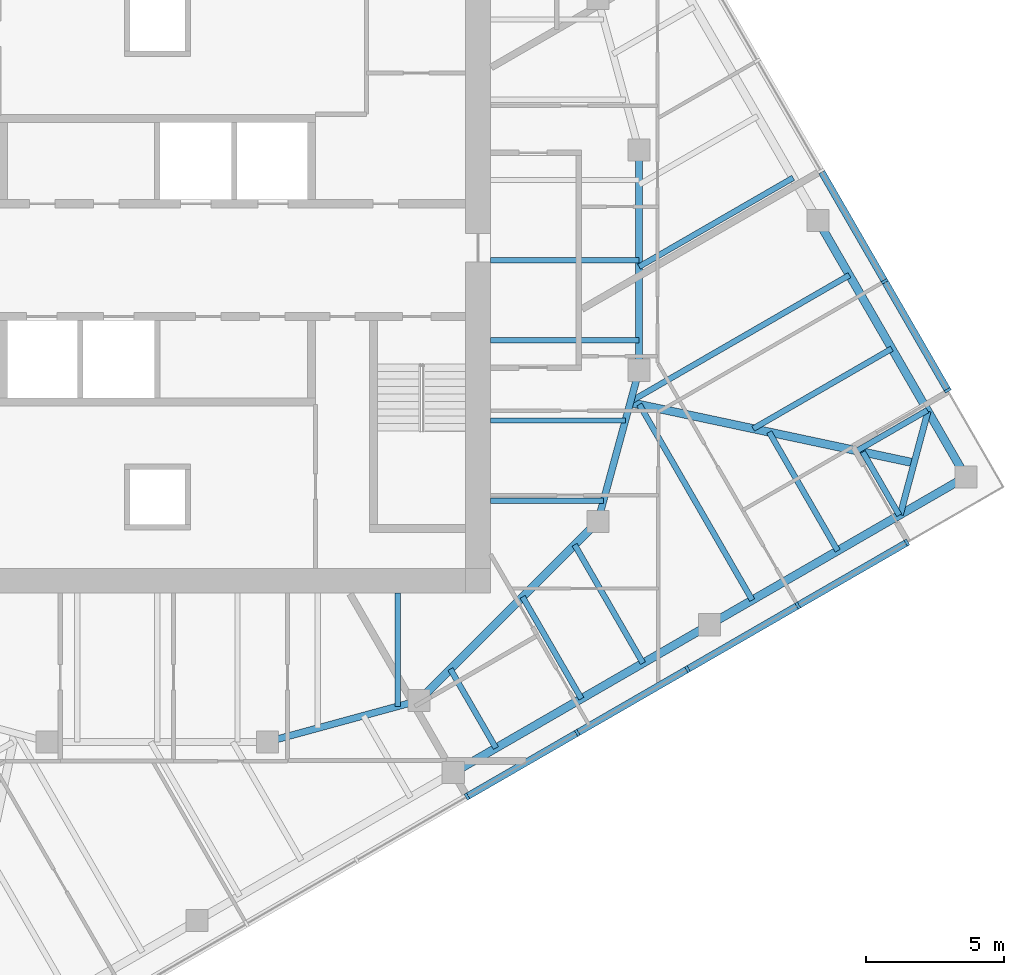
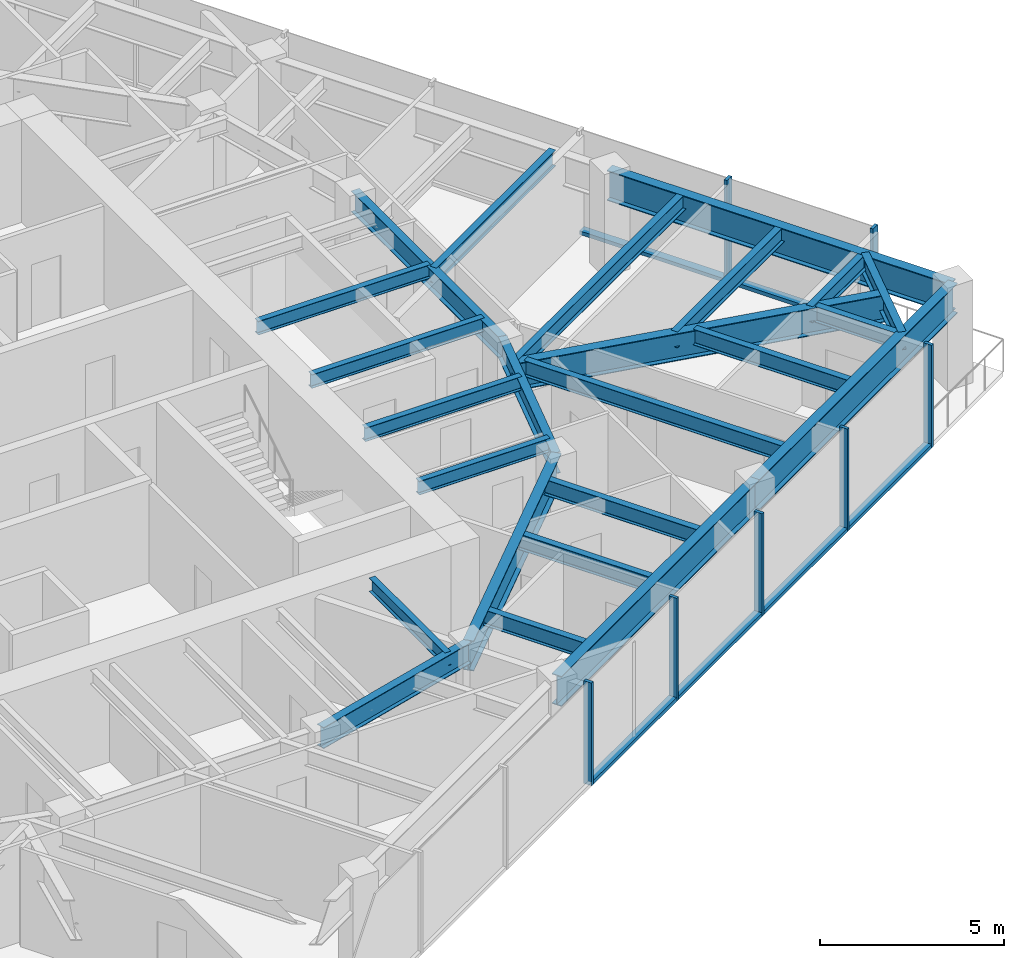
# One storey, part 3 of 13: 24 beams, 13 members, 2 elements without a shape of their own.
"""IFC4 building model written with IfcOpenShell, lengths in metres."""

from ifc_helpers import new_model, si_unit, direction, frame, origin, origin_2d, place, context, subcontext, project, spatial, rectangle, i_section, extrude, material, material_profile, profile_set, type_object, element, aggregate, save


model = new_model("IFC4")

# Units and contexts
model_context = context("Model", 3, precision=1e-05, world=origin(), true_north=direction((0.0, 1.0)))
body_context = subcontext(model_context, "Body", "Model", "MODEL_VIEW")
ifc_project = project(units=[si_unit("LENGTHUNIT", "METRE"), si_unit("AREAUNIT", "SQUARE_METRE"), si_unit("VOLUMEUNIT", "CUBIC_METRE"), si_unit("PLANEANGLEUNIT", "RADIAN"), si_unit("MASSUNIT", "GRAM", prefix="KILO")], contexts=[model_context])

# Site, building, storey
site_placement = place(None, origin())
site = spatial("IfcSite", under=ifc_project, at=site_placement, CompositionType="ELEMENT")
building_placement = place(site_placement, origin())
building = spatial("IfcBuilding", under=site, at=building_placement, Name="Torsade Residences", CompositionType="ELEMENT")
storey_placement = place(building_placement, frame((0.0, 0.0, 228.60009765625)))
storey = spatial("IfcBuildingStorey", under=building, at=storey_placement, Name="L63", CompositionType="ELEMENT", Elevation=228.60009765625)

# Beams
ifc_material_1 = material(Name="Steel grade 300", Category="steel")
ifc_material_profile_1 = material_profile(ifc_material_1, i_section(OverallWidth=0.300048828125, OverallDepth=0.89990234375, WebThickness=0.011962890625, FlangeThickness=0.02490234375, at=origin_2d()), Name="900WB175")
ifc_profile_set_1 = profile_set([ifc_material_profile_1], Name="Steel grade 300")
beam_type_1 = type_object("IfcBeamType", Name="CORNER GIRDER 900WB175", PredefinedType="BEAM", material=ifc_profile_set_1)
beam_1_placement = place(storey_placement, frame((67.4912109375, 22.6337890625, 2.7998046875), z_axis=(-0.978115155685, 0.20806427425, 0.0), x_axis=(-0.20806427425, -0.978115155685, 0.0)))
element("IfcBeam", 1, at=beam_1_placement, inside=storey, type_object=beam_type_1, Name="Corner girder 05 L64", PredefinedType="BEAM", context=body_context, shape_type="SweptSolid", body=[
    extrude(i_section(OverallWidth=0.300048828125, OverallDepth=0.89990234375, WebThickness=0.011962890625, FlangeThickness=0.02490234375, at=origin_2d()), origin(), (0.0, 0.0, 1.0), 10.541748046875),
])
ifc_material_2 = material(Name="Steel grade 300", Category="steel")
ifc_material_profile_2 = material_profile(ifc_material_2, i_section(OverallWidth=0.22802734375, OverallDepth=0.60205078125, WebThickness=0.010498046875, FlangeThickness=0.014892578125, FilletRadius=0.013916015625, at=origin_2d()), Name="610UB101")
ifc_profile_set_2 = profile_set([ifc_material_profile_2], Name="Steel grade 300")
beam_type_2 = type_object("IfcBeamType", Name="CORNER TRIMMER 610UB101", PredefinedType="BEAM", material=ifc_profile_set_2)
beam_2_placement = place(storey_placement, frame((67.99462890625, 24.511962890625, 2.948974609375), z_axis=(-0.258822897619, -0.965924794002, 0.0), x_axis=(0.965924794002, -0.258822897619, 0.0)))
element("IfcBeam", 2, at=beam_2_placement, inside=storey, type_object=beam_type_2, Name="Corner trimmer 05 L64", PredefinedType="BEAM", context=body_context, shape_type="SweptSolid", body=[
    extrude(i_section(OverallWidth=0.22802734375, OverallDepth=0.60205078125, WebThickness=0.010498046875, FlangeThickness=0.014892578125, FilletRadius=0.013916015625, at=origin_2d()), origin(), (0.0, 0.0, 1.0), 3.88916015625),
])
ifc_material_3 = material(Name="Steel grade 300", Category="steel")
ifc_material_profile_3 = material_profile(ifc_material_3, i_section(OverallWidth=0.300048828125, OverallDepth=1.0, WebThickness=0.01611328125, FlangeThickness=0.028076171875, at=origin_2d()), Name="1000WB215")
ifc_profile_set_3 = profile_set([ifc_material_profile_3], Name="Steel grade 300")
beam_type_3 = type_object("IfcBeamType", Name="EDGE BEAM 1000WB215", PredefinedType="SPANDREL", material=ifc_profile_set_3)
for number, where, z_axis, x_axis, name in (
    (3, (50.75, 11.38037109375, 2.75), (0.866026365697, 0.499998333915, 0.0), (-0.499998333915, 0.866026365697, 0.0), "Edge beam 03 L64"),
    (4, (60.059814453125, 16.75537109375, 2.75), (0.866026365697, 0.499998333915, 0.0), (-0.499998333915, 0.866026365697, 0.0), "Edge beam 04 L64"),
    (5, (69.36962890625, 22.13037109375, 2.75), (-0.499998333915, 0.866026365697, 0.0), (-0.866026365697, -0.499998333915, 0.0), "Edge beam 05 L64"),
):
    element("IfcBeam", number, at=place(storey_placement, frame(where, z_axis=z_axis, x_axis=x_axis)), inside=storey, type_object=beam_type_3, Name=name, PredefinedType="SPANDREL", context=body_context, shape_type="SweptSolid", body=[
        extrude(i_section(OverallWidth=0.300048828125, OverallDepth=1.0, WebThickness=0.01611328125, FlangeThickness=0.028076171875, at=origin_2d()), origin(), (0.0, 0.0, 1.0), 10.75),
    ])

# Curtain wall, members
ifc_material_4 = material(Name="Aluminium and glass", Category="aluminium")
curtain_wall_type = type_object("IfcCurtainWallType", Name="FRITTED GLASS CURTAIN WALL HIGH ZONE", PredefinedType="NOTDEFINED", material=ifc_material_4)
curtain_wall_1_placement = place(storey_placement, origin())
curtain_wall_1 = element("IfcCurtainWall", 6, at=curtain_wall_1_placement, inside=storey, type_object=curtain_wall_type, Name="Curtain wall L63 face 1", PredefinedType="NOTDEFINED")
ifc_material_5 = material(Name="Aluminium mullion", Category="aluminium")
ifc_material_profile_4 = material_profile(ifc_material_5, rectangle(XDim=0.25, YDim=0.10009765625, at=origin_2d()), Name="HIGH ZONE CURTAIN WALL MULLION 250x100")
ifc_profile_set_4 = profile_set([ifc_material_profile_4], Name="Aluminium mullion")
member_type_1 = type_object("IfcMemberType", Name="HIGH ZONE CURTAIN WALL MULLION 250x100", PredefinedType="MULLION", material=ifc_profile_set_4)
member_1_placement = place(storey_placement, frame((51.25, 10.514404296875, 0.0), z_axis=(0.0, 0.0, 1.0), x_axis=(-0.499999999305, 0.866025404186, 0.0)))
member_1 = element("IfcMember", 7, at=member_1_placement, type_object=member_type_1, Name="Mullion 5", PredefinedType="MULLION", context=body_context, shape_type="SweptSolid", body=[
    extrude(rectangle(XDim=0.25, YDim=0.10009765625, at=origin_2d()), origin(), (0.0, 0.0, 1.0), 3.39990234375),
])
member_2_placement = place(storey_placement, frame((55.25537109375, 12.826904296875, 0.0), z_axis=(0.0, 0.0, 1.0), x_axis=(-0.499999999305, 0.866025404186, 0.0)))
member_2 = element("IfcMember", 8, at=member_2_placement, type_object=member_type_1, Name="Mullion 6", PredefinedType="MULLION", context=body_context, shape_type="SweptSolid", body=[
    extrude(rectangle(XDim=0.25, YDim=0.10009765625, at=origin_2d()), origin(), (0.0, 0.0, 1.0), 3.39990234375),
])
member_3_placement = place(storey_placement, frame((59.2607421875, 15.139404296875, 0.0), z_axis=(0.0, 0.0, 1.0), x_axis=(-0.499999999305, 0.866025404186, 0.0)))
member_3 = element("IfcMember", 9, at=member_3_placement, type_object=member_type_1, Name="Mullion 7", PredefinedType="MULLION", context=body_context, shape_type="SweptSolid", body=[
    extrude(rectangle(XDim=0.25, YDim=0.10009765625, at=origin_2d()), origin(), (0.0, 0.0, 1.0), 3.39990234375),
])
member_4_placement = place(storey_placement, frame((63.26611328125, 17.451904296875, 0.0), z_axis=(0.0, 0.0, 1.0), x_axis=(-0.499999999305, 0.866025404186, 0.0)))
member_4 = element("IfcMember", 10, at=member_4_placement, type_object=member_type_1, Name="Mullion 8", PredefinedType="MULLION", context=body_context, shape_type="SweptSolid", body=[
    extrude(rectangle(XDim=0.25, YDim=0.10009765625, at=origin_2d()), origin(), (0.0, 0.0, 1.0), 3.39990234375),
])
member_5_placement = place(storey_placement, frame((67.228271484375, 19.739501953125, 0.0), z_axis=(0.0, 0.0, 1.0), x_axis=(-0.499999999305, 0.866025404186, 0.0)))
member_5 = element("IfcMember", 11, at=member_5_placement, type_object=member_type_1, Name="Mullion 9", PredefinedType="MULLION", context=body_context, shape_type="SweptSolid", body=[
    extrude(rectangle(XDim=0.25, YDim=0.10009765625, at=origin_2d()), origin(), (0.0, 0.0, 1.0), 3.39990234375),
])

curtain_wall_2_placement = place(storey_placement, origin())
curtain_wall_2 = element("IfcCurtainWall", 12, at=curtain_wall_2_placement, inside=storey, type_object=curtain_wall_type, Name="Curtain wall L63 face 4", PredefinedType="NOTDEFINED")
member_6_placement = place(storey_placement, frame((68.710693359375, 25.271728515625, 0.0), z_axis=(0.0, 0.0, 1.0), x_axis=(-0.866025404186, -0.499999999305, 0.0)))
member_6 = element("IfcMember", 13, at=member_6_placement, type_object=member_type_1, Name="Mullion 1", PredefinedType="MULLION", context=body_context, shape_type="SweptSolid", body=[
    extrude(rectangle(XDim=0.25, YDim=0.10009765625, at=origin_2d()), origin(), (0.0, 0.0, 1.0), 3.39990234375),
])
member_7_placement = place(storey_placement, frame((66.423095703125, 29.23388671875, 0.0), z_axis=(0.0, 0.0, 1.0), x_axis=(-0.866025404186, -0.499999999305, 0.0)))
member_7 = element("IfcMember", 14, at=member_7_placement, type_object=member_type_1, Name="Mullion 2", PredefinedType="MULLION", context=body_context, shape_type="SweptSolid", body=[
    extrude(rectangle(XDim=0.25, YDim=0.10009765625, at=origin_2d()), origin(), (0.0, 0.0, 1.0), 3.39990234375),
])

# Member
ifc_material_6 = material(Name="Aluminium transom", Category="aluminium")
ifc_material_profile_5 = material_profile(ifc_material_6, rectangle(XDim=0.25, YDim=0.1201171875, at=origin_2d()), Name="HIGH ZONE CURTAIN WALL TRANSOM 250x120")
ifc_profile_set_5 = profile_set([ifc_material_profile_5], Name="Aluminium transom")
member_type_2 = type_object("IfcMemberType", Name="HIGH ZONE CURTAIN WALL TRANSOM 250x120", PredefinedType="USERDEFINED", material=ifc_profile_set_5)
member_8_placement = place(storey_placement, frame((51.293212890625, 10.539306640625, 0.059814453125), z_axis=(0.866016678684, 0.500015112013, 0.0), x_axis=(-0.500015112013, 0.866016678684, 0.0)))
member_8 = element("IfcMember", 15, at=member_8_placement, type_object=member_type_2, Name="Transom 5.1", ObjectType="TRANSOM", PredefinedType="USERDEFINED", context=body_context, shape_type="SweptSolid", body=[
    extrude(rectangle(XDim=0.25, YDim=0.1201171875, at=origin_2d()), origin(), (0.0, 0.0, 1.0), 4.525146484375),
])

member_9_placement = place(storey_placement, frame((55.298583984375, 12.851806640625, 0.059814453125), z_axis=(0.866016678684, 0.500015112013, 0.0), x_axis=(-0.500015112013, 0.866016678684, 0.0)))
member_9 = element("IfcMember", 16, at=member_9_placement, type_object=member_type_2, Name="Transom 6.1", ObjectType="TRANSOM", PredefinedType="USERDEFINED", context=body_context, shape_type="SweptSolid", body=[
    extrude(rectangle(XDim=0.25, YDim=0.1201171875, at=origin_2d()), origin(), (0.0, 0.0, 1.0), 4.525146484375),
])

member_10_placement = place(storey_placement, frame((59.303955078125, 15.164306640625, 0.059814453125), z_axis=(0.866016678684, 0.500015112013, 0.0), x_axis=(-0.500015112013, 0.866016678684, 0.0)))
member_10 = element("IfcMember", 17, at=member_10_placement, type_object=member_type_2, Name="Transom 7.1", ObjectType="TRANSOM", PredefinedType="USERDEFINED", context=body_context, shape_type="SweptSolid", body=[
    extrude(rectangle(XDim=0.25, YDim=0.1201171875, at=origin_2d()), origin(), (0.0, 0.0, 1.0), 4.525146484375),
])

member_11_placement = place(storey_placement, frame((63.309326171875, 17.476806640625, 0.059814453125), z_axis=(0.866022053326, 0.50000580312, 0.0), x_axis=(-0.50000580312, 0.866022053326, 0.0)))
member_11 = element("IfcMember", 18, at=member_11_placement, type_object=member_type_2, Name="Transom 8.1", ObjectType="TRANSOM", PredefinedType="USERDEFINED", context=body_context, shape_type="SweptSolid", body=[
    extrude(rectangle(XDim=0.25, YDim=0.1201171875, at=origin_2d()), origin(), (0.0, 0.0, 1.0), 4.47509765625),
])

aggregate(curtain_wall_1, [member_1, member_2, member_3, member_4, member_5, member_8, member_9, member_10, member_11])

member_12_placement = place(storey_placement, frame((68.685546875, 25.315185546875, 0.059814453125), z_axis=(-0.50000580312, 0.866022053326, 0.0), x_axis=(-0.866022053326, -0.50000580312, 0.0)))
member_12 = element("IfcMember", 19, at=member_12_placement, type_object=member_type_2, Name="Transom 1.1", ObjectType="TRANSOM", PredefinedType="USERDEFINED", context=body_context, shape_type="SweptSolid", body=[
    extrude(rectangle(XDim=0.25, YDim=0.1201171875, at=origin_2d()), origin(), (0.0, 0.0, 1.0), 4.47509765625),
])

member_13_placement = place(storey_placement, frame((66.398193359375, 29.277099609375, 0.059814453125), z_axis=(-0.500015112013, 0.866016678684, 0.0), x_axis=(-0.866016678684, -0.500015112013, 0.0)))
member_13 = element("IfcMember", 20, at=member_13_placement, type_object=member_type_2, Name="Transom 2.1", ObjectType="TRANSOM", PredefinedType="USERDEFINED", context=body_context, shape_type="SweptSolid", body=[
    extrude(rectangle(XDim=0.25, YDim=0.1201171875, at=origin_2d()), origin(), (0.0, 0.0, 1.0), 4.525146484375),
])

aggregate(curtain_wall_2, [member_6, member_7, member_12, member_13])

# Beams
ifc_material_7 = material(Name="Steel grade 300", Category="steel")
ifc_material_profile_6 = material_profile(ifc_material_7, i_section(OverallWidth=0.18994140625, OverallDepth=0.4541015625, WebThickness=0.008544921875, FlangeThickness=0.0126953125, FilletRadius=0.011474609375, at=origin_2d()), Name="460UB67.1")
ifc_profile_set_6 = profile_set([ifc_material_profile_6], Name="Steel grade 300")
beam_type_4 = type_object("IfcBeamType", Name="INNER FLOOR BEAM 460UB67.1", PredefinedType="JOIST", material=ifc_profile_set_6)
for number, where, z_axis, x_axis, name in (
    (21, (48.737548828125, 17.89990234375, 3.02294921875), (0.0, -1.0, 0.0), (1.0, 0.0, 0.0), "Inner floor beam IS01 L64"),
    (22, (52.10009765625, 21.262451171875, 3.02294921875), (1.0, 0.0, 0.0), (0.0, 1.0, 0.0), "Inner floor beam IE01 L64"),
):
    element("IfcBeam", number, at=place(storey_placement, frame(where, z_axis=z_axis, x_axis=x_axis)), inside=storey, type_object=beam_type_4, Name=name, PredefinedType="JOIST", context=body_context, shape_type="SweptSolid", body=[
        extrude(i_section(OverallWidth=0.18994140625, OverallDepth=0.4541015625, WebThickness=0.008544921875, FlangeThickness=0.0126953125, FilletRadius=0.011474609375, at=origin_2d()), origin(), (0.0, 0.0, 1.0), 4.10791015625),
    ])
beam_3_placement = place(storey_placement, frame((52.10009765625, 24.175048828125, 3.02294921875), z_axis=(1.0, 0.0, 0.0), x_axis=(0.0, 1.0, 0.0)))
element("IfcBeam", 23, at=beam_3_placement, inside=storey, type_object=beam_type_4, Name="Inner floor beam IE02 L64", PredefinedType="JOIST", context=body_context, shape_type="SweptSolid", body=[
    extrude(i_section(OverallWidth=0.18994140625, OverallDepth=0.4541015625, WebThickness=0.008544921875, FlangeThickness=0.0126953125, FilletRadius=0.011474609375, at=origin_2d()), origin(), (0.0, 0.0, 1.0), 4.902099609375),
])
for number, where, z_axis, x_axis, name in (
    (24, (52.10009765625, 27.08740234375, 3.02294921875), (1.0, 0.0, 0.0), (0.0, 1.0, 0.0), "Inner floor beam IE03 L64"),
    (25, (52.10009765625, 30.0, 3.02294921875), (1.0, 0.0, 0.0), (0.0, 1.0, 0.0), "Inner floor beam IE04 L64"),
):
    element("IfcBeam", number, at=place(storey_placement, frame(where, z_axis=z_axis, x_axis=x_axis)), inside=storey, type_object=beam_type_4, Name=name, PredefinedType="JOIST", context=body_context, shape_type="SweptSolid", body=[
        extrude(i_section(OverallWidth=0.18994140625, OverallDepth=0.4541015625, WebThickness=0.008544921875, FlangeThickness=0.0126953125, FilletRadius=0.011474609375, at=origin_2d()), origin(), (0.0, 0.0, 1.0), 5.39990234375),
    ])
ifc_material_8 = material(Name="Steel grade 300", Category="steel")
ifc_material_profile_7 = material_profile(ifc_material_8, i_section(OverallWidth=0.300048828125, OverallDepth=1.0, WebThickness=0.01611328125, FlangeThickness=0.028076171875, at=origin_2d()), Name="1000WB215")
ifc_profile_set_7 = profile_set([ifc_material_profile_7], Name="Steel grade 300")
beam_type_5 = type_object("IfcBeamType", Name="RING CORNER GIRDER 1000WB215", PredefinedType="BEAM", material=ifc_profile_set_7)
beam_4_placement = place(storey_placement, frame((49.5, 14.0, 2.75), z_axis=(0.707106781187, 0.707106781187, 0.0), x_axis=(-0.707106781187, 0.707106781187, 0.0)))
element("IfcBeam", 26, at=beam_4_placement, inside=storey, type_object=beam_type_5, Name="Ring girder IR15 L64", PredefinedType="BEAM", context=body_context, shape_type="SweptSolid", body=[
    extrude(i_section(OverallWidth=0.300048828125, OverallDepth=1.0, WebThickness=0.01611328125, FlangeThickness=0.028076171875, at=origin_2d()), origin(), (0.0, 0.0, 1.0), 9.1923828125),
])
ifc_material_9 = material(Name="Steel grade 300", Category="steel")
ifc_material_profile_8 = material_profile(ifc_material_9, i_section(OverallWidth=0.25, OverallDepth=0.699951171875, WebThickness=0.010009765625, FlangeThickness=0.02001953125, at=origin_2d()), Name="700WB130")
ifc_profile_set_8 = profile_set([ifc_material_profile_8], Name="Steel grade 300")
beam_type_6 = type_object("IfcBeamType", Name="RING GIRDER 700WB130", PredefinedType="BEAM", material=ifc_profile_set_8)
beam_5_placement = place(storey_placement, frame((57.5, 26.0, 2.89990234375), z_axis=(0.0, 1.0, 0.0), x_axis=(-1.0, 0.0, 0.0)))
element("IfcBeam", 27, at=beam_5_placement, inside=storey, type_object=beam_type_6, Name="Ring girder IR01 L64", PredefinedType="BEAM", context=body_context, shape_type="SweptSolid", body=[
    extrude(i_section(OverallWidth=0.25, OverallDepth=0.699951171875, WebThickness=0.010009765625, FlangeThickness=0.02001953125, at=origin_2d()), origin(), (0.0, 0.0, 1.0), 8.0),
])
for number, where, z_axis, x_axis, name in (
    (28, (44.0, 12.5, 2.89990234375), (0.964763821238, 0.263117405792, 0.0), (-0.263117405792, 0.964763821238, 0.0), "Ring girder IR14 L64"),
    (29, (56.0, 20.5, 2.89990234375), (0.263117405792, 0.964763821238, 0.0), (-0.964763821238, 0.263117405792, 0.0), "Ring girder IR16 L64"),
):
    element("IfcBeam", number, at=place(storey_placement, frame(where, z_axis=z_axis, x_axis=x_axis)), inside=storey, type_object=beam_type_6, Name=name, PredefinedType="BEAM", context=body_context, shape_type="SweptSolid", body=[
        extrude(i_section(OverallWidth=0.25, OverallDepth=0.699951171875, WebThickness=0.010009765625, FlangeThickness=0.02001953125, at=origin_2d()), origin(), (0.0, 0.0, 1.0), 5.700927734375),
    ])
ifc_material_10 = material(Name="Steel grade 300", Category="steel")
ifc_material_profile_9 = material_profile(ifc_material_10, i_section(OverallWidth=0.208984375, OverallDepth=0.528076171875, WebThickness=0.009521484375, FlangeThickness=0.01318359375, FilletRadius=0.013916015625, at=origin_2d()), Name="530UB82.0")
ifc_profile_set_9 = profile_set([ifc_material_profile_9], Name="Steel grade 300")
beam_type_7 = type_object("IfcBeamType", Name="SECONDARY BEAM 530UB82.0", PredefinedType="JOIST", material=ifc_profile_set_9)
beam_6_placement = place(storey_placement, frame((52.301513671875, 12.2763671875, 2.98583984375), z_axis=(-0.499975512502, 0.866039541186, 0.0), x_axis=(-0.866039541186, -0.499975512502, 0.0)))
element("IfcBeam", 30, at=beam_6_placement, inside=storey, type_object=beam_type_7, Name="Floor beam FS07 L64", PredefinedType="JOIST", context=body_context, shape_type="SweptSolid", body=[
    extrude(i_section(OverallWidth=0.208984375, OverallDepth=0.528076171875, WebThickness=0.009521484375, FlangeThickness=0.01318359375, FilletRadius=0.013916015625, at=origin_2d()), origin(), (0.0, 0.0, 1.0), 3.312744140625),
])
beam_7_placement = place(storey_placement, frame((55.40478515625, 14.06787109375, 2.98583984375), z_axis=(-0.500004369671, 0.866022880939, 0.0), x_axis=(-0.866022880939, -0.500004369671, 0.0)))
element("IfcBeam", 31, at=beam_7_placement, inside=storey, type_object=beam_type_7, Name="Floor beam FS08 L64", PredefinedType="JOIST", context=body_context, shape_type="SweptSolid", body=[
    extrude(i_section(OverallWidth=0.208984375, OverallDepth=0.528076171875, WebThickness=0.009521484375, FlangeThickness=0.01318359375, FilletRadius=0.013916015625, at=origin_2d()), origin(), (0.0, 0.0, 1.0), 4.27294921875),
])
beam_8_placement = place(storey_placement, frame((57.64208984375, 15.359619140625, 2.98583984375), z_axis=(-0.49996790502, 0.866043933037, 0.0), x_axis=(-0.866043933037, -0.49996790502, 0.0)))
element("IfcBeam", 32, at=beam_8_placement, inside=storey, type_object=beam_type_7, Name="Floor beam FS09 L64", PredefinedType="JOIST", context=body_context, shape_type="SweptSolid", body=[
    extrude(i_section(OverallWidth=0.208984375, OverallDepth=0.528076171875, WebThickness=0.009521484375, FlangeThickness=0.01318359375, FilletRadius=0.013916015625, at=origin_2d()), origin(), (0.0, 0.0, 1.0), 4.965087890625),
])
beam_9_placement = place(storey_placement, frame((61.611328125, 17.6513671875, 2.98583984375), z_axis=(-0.499992034702, 0.866030002502, 0.0), x_axis=(-0.866030002502, -0.499992034702, 0.0)))
element("IfcBeam", 33, at=beam_9_placement, inside=storey, type_object=beam_type_7, Name="Floor beam FS10 L64", PredefinedType="JOIST", context=body_context, shape_type="SweptSolid", body=[
    extrude(i_section(OverallWidth=0.208984375, OverallDepth=0.528076171875, WebThickness=0.009521484375, FlangeThickness=0.01318359375, FilletRadius=0.013916015625, at=origin_2d()), origin(), (0.0, 0.0, 1.0), 8.205322265625),
])
beam_10_placement = place(storey_placement, frame((64.714599609375, 19.44287109375, 2.98583984375), z_axis=(-0.499968694491, 0.866043477274, 0.0), x_axis=(-0.866043477274, -0.499968694491, 0.0)))
element("IfcBeam", 34, at=beam_10_placement, inside=storey, type_object=beam_type_7, Name="Floor beam FS11 L64", PredefinedType="JOIST", context=body_context, shape_type="SweptSolid", body=[
    extrude(i_section(OverallWidth=0.208984375, OverallDepth=0.528076171875, WebThickness=0.009521484375, FlangeThickness=0.01318359375, FilletRadius=0.013916015625, at=origin_2d()), origin(), (0.0, 0.0, 1.0), 4.977783203125),
])
beam_11_placement = place(storey_placement, frame((66.951904296875, 20.734619140625, 2.98583984375), z_axis=(-0.499972238474, 0.866041431316, 0.0), x_axis=(-0.866041431316, -0.499972238474, 0.0)))
element("IfcBeam", 35, at=beam_11_placement, inside=storey, type_object=beam_type_7, Name="Floor beam FS12 L64", PredefinedType="JOIST", context=body_context, shape_type="SweptSolid", body=[
    extrude(i_section(OverallWidth=0.208984375, OverallDepth=0.528076171875, WebThickness=0.009521484375, FlangeThickness=0.01318359375, FilletRadius=0.013916015625, at=origin_2d()), origin(), (0.0, 0.0, 1.0), 2.651123046875),
])
beam_12_placement = place(storey_placement, frame((67.9736328125, 24.548095703125, 2.98583984375), z_axis=(-0.866017313224, -0.500014013, 0.0), x_axis=(0.500014013, -0.866017313224, 0.0)))
element("IfcBeam", 36, at=beam_12_placement, inside=storey, type_object=beam_type_7, Name="Floor beam FE01 L64", PredefinedType="JOIST", context=body_context, shape_type="SweptSolid", body=[
    extrude(i_section(OverallWidth=0.208984375, OverallDepth=0.528076171875, WebThickness=0.009521484375, FlangeThickness=0.01318359375, FilletRadius=0.013916015625, at=origin_2d()), origin(), (0.0, 0.0, 1.0), 2.94775390625),
])
beam_13_placement = place(storey_placement, frame((66.68212890625, 26.785400390625, 2.98583984375), z_axis=(-0.866031100357, -0.499990133118, 0.0), x_axis=(0.499990133118, -0.866031100357, 0.0)))
element("IfcBeam", 37, at=beam_13_placement, inside=storey, type_object=beam_type_7, Name="Floor beam FE02 L64", PredefinedType="JOIST", context=body_context, shape_type="SweptSolid", body=[
    extrude(i_section(OverallWidth=0.208984375, OverallDepth=0.528076171875, WebThickness=0.009521484375, FlangeThickness=0.01318359375, FilletRadius=0.013916015625, at=origin_2d()), origin(), (0.0, 0.0, 1.0), 5.81591796875),
])
beam_14_placement = place(storey_placement, frame((65.140380859375, 29.45556640625, 2.98583984375), z_axis=(-0.866021712342, -0.500006393711, 0.0), x_axis=(0.500006393711, -0.866021712342, 0.0)))
element("IfcBeam", 38, at=beam_14_placement, inside=storey, type_object=beam_type_7, Name="Floor beam FE03 L64", PredefinedType="JOIST", context=body_context, shape_type="SweptSolid", body=[
    extrude(i_section(OverallWidth=0.208984375, OverallDepth=0.528076171875, WebThickness=0.009521484375, FlangeThickness=0.01318359375, FilletRadius=0.013916015625, at=origin_2d()), origin(), (0.0, 0.0, 1.0), 9.1796875),
])
beam_15_placement = place(storey_placement, frame((63.0986328125, 32.991943359375, 2.98583984375), z_axis=(-0.866022073929, -0.500005767435, 0.0), x_axis=(0.500005767435, -0.866022073929, 0.0)))
element("IfcBeam", 39, at=beam_15_placement, inside=storey, type_object=beam_type_7, Name="Floor beam FE04 L64", PredefinedType="JOIST", context=body_context, shape_type="SweptSolid", body=[
    extrude(i_section(OverallWidth=0.208984375, OverallDepth=0.528076171875, WebThickness=0.009521484375, FlangeThickness=0.01318359375, FilletRadius=0.013916015625, at=origin_2d()), origin(), (0.0, 0.0, 1.0), 6.46484375),
])

save(model, "model.ifc")
